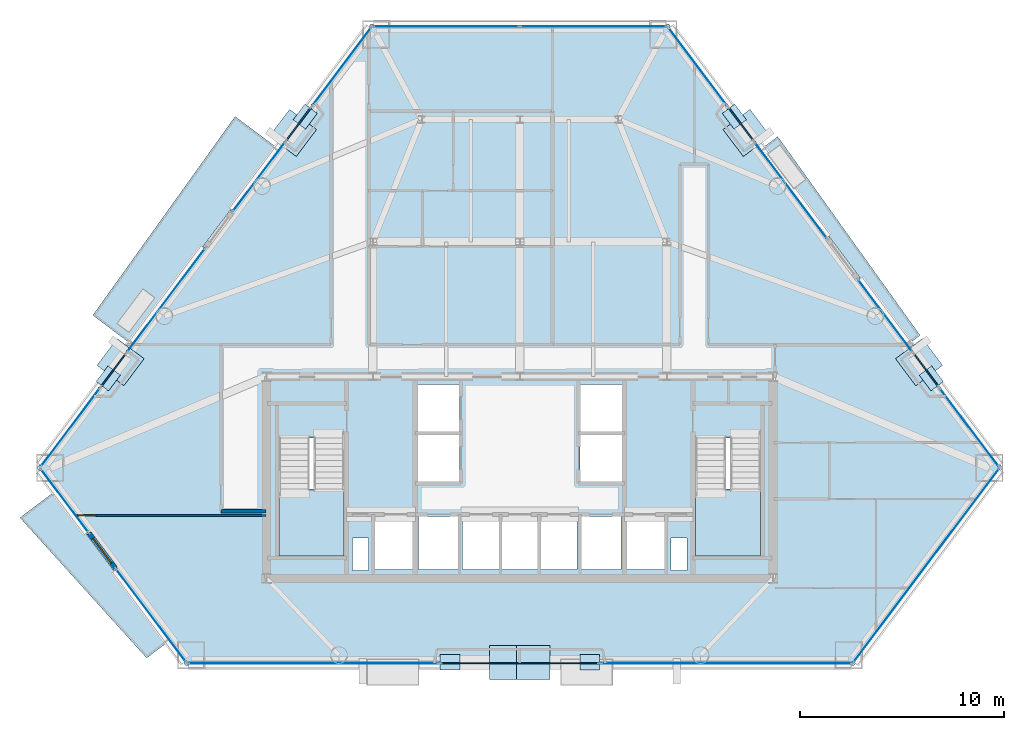
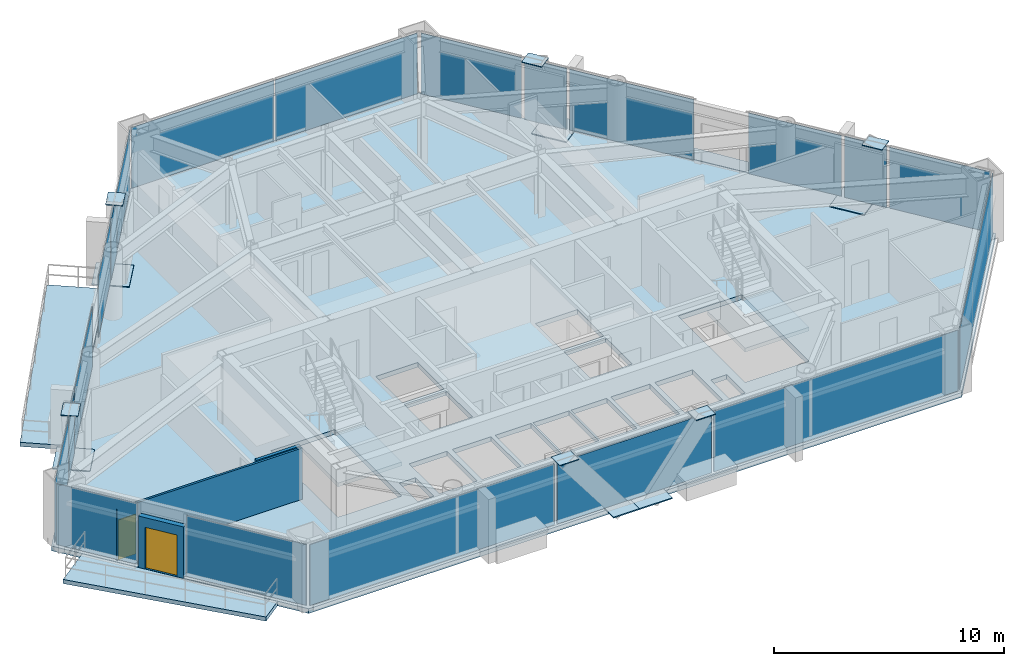
# One storey, part 5 of 10: 32 plates, 6 slabs, 3 walls, 2 doors, 2 openings, 21 elements without a shape of their own.
"""IFC4 building model written with IfcOpenShell, lengths in metres."""

from ifc_helpers import new_model, si_unit, direction, frame, frame_2d, origin, origin_2d, place, context, subcontext, project, spatial, polyline, rectangle, outline, extrude, source, transform, mapped, material, layer, layer_set, type_object, type_shapes, element, fill, aggregate, save


model = new_model("IFC4")

# Units and contexts
model_context = context("Model", 3, precision=1e-05, world=origin(), true_north=direction((0.0, 1.0)))
body_context = subcontext(model_context, "Body", "Model", "MODEL_VIEW")
ifc_project = project(units=[si_unit("LENGTHUNIT", "METRE"), si_unit("AREAUNIT", "SQUARE_METRE"), si_unit("VOLUMEUNIT", "CUBIC_METRE"), si_unit("PLANEANGLEUNIT", "RADIAN"), si_unit("MASSUNIT", "GRAM", prefix="KILO")], contexts=[model_context])

# Site, building, storey
site_placement = place(None, origin())
site = spatial("IfcSite", under=ifc_project, at=site_placement, CompositionType="ELEMENT")
building_placement = place(site_placement, origin())
building = spatial("IfcBuilding", under=site, at=building_placement, Name="Talgorran Terracotta Tower", CompositionType="ELEMENT")
storey_placement = place(building_placement, frame((0.0, 0.0, 75.60009765625)))
storey = spatial("IfcBuildingStorey", under=building, at=storey_placement, Name="L19", CompositionType="ELEMENT", Elevation=75.60009765625)

# Plates
ifc_material_1 = material(Name="Steel Grade 350 (350L0)", Category="steel")
ifc_layer_1 = layer(ifc_material_1, 0.0400390625, Name="PL_CAP_MN05")
ifc_layer_set_1 = layer_set([ifc_layer_1], Name="Steel Grade 350 (350L0)")
plate_type_1 = type_object("IfcPlateType", Name="PL_CAP_MN05", PredefinedType="USERDEFINED", material=ifc_layer_set_1)
for number, where, z_axis, x_axis, name in (
    (1, (-3.419189453125, -18.206787109375, 3.31982421875), (0.0, 0.0, 1.0), (-1.0, 0.0, 0.0), "L19 Diagonal Frame End Cap SWF Top"),
    (2, (3.419189453125, -18.206787109375, 3.31982421875), (0.0, 0.0, 1.0), (1.0, 0.0, 0.0), "L19 Diagonal Frame End Cap SEF Top"),
    (3, (20.15869140625, -4.291015625, 3.31982421875), (0.0, 0.0, 1.0), (0.601257323772, -0.799055461536, 0.0), "L19 Diagonal Frame End Cap NEL Top"),
    (4, (10.51123046875, 8.531005859375, 3.31982421875), (0.0, 0.0, 1.0), (-0.601257323772, 0.799055461536, 0.0), "L19 Diagonal Frame End Cap NEU Top"),
    (5, (-10.51123046875, 8.531005859375, 3.31982421875), (0.0, 0.0, 1.0), (0.601257323772, 0.799055461536, 0.0), "L19 Diagonal Frame End Cap NWU Top"),
    (6, (-20.15869140625, -4.291015625, 3.31982421875), (0.0, 0.0, 1.0), (-0.601257323772, -0.799055461536, 0.0), "L19 Diagonal Frame End Cap NWL Top"),
):
    element("IfcPlate", number, at=place(storey_placement, frame(where, z_axis=z_axis, x_axis=x_axis)), inside=storey, type_object=plate_type_1, Name=name, ObjectType="CAP PLATE", PredefinedType="USERDEFINED", context=body_context, shape_type="SweptSolid", body=[
        extrude(rectangle(XDim=0.9599609375, YDim=0.760009765625, at=origin_2d()), origin(), (0.0, 0.0, 1.0), 0.0400390625),
    ])
ifc_layer_2 = layer(ifc_material_1, 0.06005859375, Name="PL_NODE_MN01")
ifc_layer_set_2 = layer_set([ifc_layer_2], Name="Steel Grade 350 (350L0)")
plate_type_2 = type_object("IfcPlateType", Name="PL_NODE_MN01", PredefinedType="USERDEFINED", material=ifc_layer_set_2)
for number, where, z_axis, x_axis, name in (
    (7, (-0.6513671875, -18.206787109375, -0.02001953125), (0.0, 0.0, 1.0), (-1.0, 0.0, 0.0), "L19 Diagonal Frame End Cap SWF Bot"),
    (8, (0.6513671875, -18.206787109375, -0.02001953125), (0.0, 0.0, 1.0), (1.0, 0.0, 0.0), "L19 Diagonal Frame End Cap SEF Bot"),
    (9, (19.557861328125, -3.4921875, -0.02001953125), (0.0, 0.0, 1.0), (0.601257323772, -0.799055461536, 0.0), "L19 Diagonal Frame End Cap NEL Bot"),
    (10, (11.1123046875, 7.732421875, -0.02001953125), (0.0, 0.0, 1.0), (-0.601257323772, 0.799055461536, 0.0), "L19 Diagonal Frame End Cap NEU Bot"),
    (11, (-11.1123046875, 7.732421875, -0.02001953125), (0.0, 0.0, 1.0), (0.601257323772, 0.799055461536, 0.0), "L19 Diagonal Frame End Cap NWU Bot"),
    (12, (-19.557861328125, -3.4921875, -0.02001953125), (0.0, 0.0, 1.0), (-0.601257323772, -0.799055461536, 0.0), "L19 Diagonal Frame End Cap NWL Bot"),
):
    element("IfcPlate", number, at=place(storey_placement, frame(where, z_axis=z_axis, x_axis=x_axis)), inside=storey, type_object=plate_type_2, Name=name, ObjectType="NODE PLATE", PredefinedType="USERDEFINED", context=body_context, shape_type="SweptSolid", body=[
        extrude(rectangle(XDim=1.64990234375, YDim=1.64990234375, at=origin_2d()), origin(), (0.0, 0.0, 1.0), 0.06005859375),
    ])

# Slabs
ifc_material_2 = material(Name="Concrete C40/50", Category="concrete")
ifc_layer_3 = layer(ifc_material_2, 0.219970703125, Name="SL_BALCONY_220")
ifc_layer_set_3 = layer_set([ifc_layer_3], Name="Concrete C40/50")
slab_type_1 = type_object("IfcSlabType", Name="SL_BALCONY_220", PredefinedType="FLOOR", material=ifc_layer_set_3)
slab_1_placement = place(storey_placement, frame((0.0, 0.0, -0.22021484375)))
element("IfcSlab", 13, at=slab_1_placement, inside=storey, type_object=slab_type_1, Name="L19 Outdoor Wave Balcony BAL-NE", PredefinedType="FLOOR", context=body_context, shape_type="SweptSolid", body=[
    extrude(outline(polyline([(11.88720703125, 6.9931640625), (19.086669921875, -2.574951171875), (19.60595703125, -2.184326171875), (12.632568359375, 7.5537109375), (11.88720703125, 6.9931640625)])), origin(), (0.0, 0.0, 1.0), 0.22021484375),
])
slab_2_placement = place(storey_placement, frame((0.0, 0.0, -0.22021484375)))
element("IfcSlab", 14, at=slab_2_placement, inside=storey, type_object=slab_type_1, Name="L19 Outdoor Wave Balcony BAL-NW", PredefinedType="FLOOR", context=body_context, shape_type="SweptSolid", body=[
    extrude(outline(polyline([(-19.086669921875, -2.574951171875), (-11.88720703125, 6.9931640625), (-13.941162109375, 8.538330078125), (-20.914306640625, -1.19970703125), (-19.086669921875, -2.574951171875)])), origin(), (0.0, 0.0, 1.0), 0.22021484375),
])
slab_3_placement = place(storey_placement, frame((0.0, 0.0, -0.22021484375)))
element("IfcSlab", 15, at=slab_3_placement, inside=storey, type_object=slab_type_1, Name="L19 Outdoor Wave Balcony BAL-SW", PredefinedType="FLOOR", context=body_context, shape_type="SweptSolid", body=[
    extrude(outline(polyline([(-17.249267578125, -17.21240234375), (-22.792724609375, -9.84521484375), (-24.4814453125, -11.11572265625), (-18.277587890625, -17.986083984375), (-17.249267578125, -17.21240234375)])), origin(), (0.0, 0.0, 1.0), 0.22021484375),
])

# Stair, slab
stair_type = type_object("IfcStairType", Name="ST_FIRE_SCISSOR", PredefinedType="HALF_TURN_STAIR", material=ifc_material_2)
stair_1_placement = place(storey_placement, origin())
stair_1 = element("IfcStair", 16, at=stair_1_placement, inside=storey, type_object=stair_type, Name="L19 West Protected Fire Stair ST-01", PredefinedType="HALF_TURN_STAIR")
ifc_layer_4 = layer(ifc_material_2, 0.199951171875, Name="SL_LANDING_200")
ifc_layer_set_4 = layer_set([ifc_layer_4], Name="Concrete C40/50")
slab_type_2 = type_object("IfcSlabType", Name="SL_LANDING_200", PredefinedType="LANDING", material=ifc_layer_set_4)
slab_4_placement = place(storey_placement, frame((0.0, 0.0, 1.599853515625)))
slab_4 = element("IfcSlab", 17, at=slab_4_placement, type_object=slab_type_2, Name="ST-01 landing 1", PredefinedType="LANDING", context=body_context, shape_type="SweptSolid", body=[
    extrude(outline(polyline([(-11.800048828125, -9.719970703125), (-11.800048828125, -13.0), (-8.60009765625, -13.0), (-8.60009765625, -9.719970703125), (-11.800048828125, -9.719970703125)])), origin(), (0.0, 0.0, 1.0), 0.199951171875),
])
aggregate(stair_1, [slab_4])

stair_2_placement = place(storey_placement, origin())
stair_2 = element("IfcStair", 18, at=stair_2_placement, inside=storey, type_object=stair_type, Name="L19 East Protected Fire Stair ST-02", PredefinedType="HALF_TURN_STAIR")
slab_5_placement = place(storey_placement, frame((0.0, 0.0, 1.599853515625)))
slab_5 = element("IfcSlab", 19, at=slab_5_placement, type_object=slab_type_2, Name="ST-02 landing 1", PredefinedType="LANDING", context=body_context, shape_type="SweptSolid", body=[
    extrude(outline(polyline([(8.60009765625, -9.719970703125), (8.60009765625, -13.0), (11.800048828125, -13.0), (11.800048828125, -9.719970703125), (8.60009765625, -9.719970703125)])), origin(), (0.0, 0.0, 1.0), 0.199951171875),
])
aggregate(stair_2, [slab_5])

# Slab
ifc_layer_5 = layer(ifc_material_2, 0.264892578125, Name="SL_TOWER_265")
ifc_layer_set_5 = layer_set([ifc_layer_5], Name="Concrete C40/50")
slab_type_3 = type_object("IfcSlabType", Name="SL_TOWER_265", PredefinedType="FLOOR", material=ifc_layer_set_5)
slab_6_placement = place(storey_placement, frame((0.0, 0.0, -0.25)))
element("IfcSlab", 20, at=slab_6_placement, inside=storey, type_object=slab_type_3, Name="Storey L19 Structural Floor Slab", PredefinedType="FLOOR", context=body_context, shape_type="SweptSolid", body=[
    extrude(outline(polyline([(-23.656005859375, -8.6728515625), (-16.362060546875, -18.36669921875), (16.362060546875, -18.36669921875), (23.656005859375, -8.6728515625), (7.2939453125, 13.07275390625), (-7.2939453125, 13.07275390625), (-23.656005859375, -8.6728515625)]), holes=[polyline([(-11.800048828125, -7.199951171875), (-11.800048828125, -13.0), (-8.60009765625, -13.0), (-8.60009765625, -7.199951171875), (-11.800048828125, -7.199951171875)]), polyline([(8.60009765625, -7.199951171875), (8.60009765625, -13.0), (11.800048828125, -13.0), (11.800048828125, -7.199951171875), (8.60009765625, -7.199951171875)]), polyline([(-7.10009765625, -13.64990234375), (-5.199951171875, -13.64990234375), (-5.199951171875, -11.050048828125), (-7.10009765625, -11.050048828125), (-7.10009765625, -13.64990234375)]), polyline([(5.199951171875, -13.64990234375), (7.10009765625, -13.64990234375), (7.10009765625, -11.050048828125), (5.199951171875, -11.050048828125), (5.199951171875, -13.64990234375)]), polyline([(3.0, -13.64990234375), (4.949951171875, -13.64990234375), (4.949951171875, -11.050048828125), (3.0, -11.050048828125), (3.0, -13.64990234375)]), polyline([(-4.949951171875, -13.64990234375), (-3.0, -13.64990234375), (-3.0, -11.050048828125), (-4.949951171875, -11.050048828125), (-4.949951171875, -13.64990234375)]), polyline([(-5.050048828125, -9.35009765625), (-2.949951171875, -9.35009765625), (-2.949951171875, -7.050048828125), (-5.050048828125, -7.050048828125), (-5.050048828125, -9.35009765625)]), polyline([(-5.050048828125, -6.89990234375), (-2.949951171875, -6.89990234375), (-2.949951171875, -4.60009765625), (-5.050048828125, -4.60009765625), (-5.050048828125, -6.89990234375)]), polyline([(2.949951171875, -9.35009765625), (5.050048828125, -9.35009765625), (5.050048828125, -7.050048828125), (2.949951171875, -7.050048828125), (2.949951171875, -9.35009765625)]), polyline([(2.949951171875, -6.89990234375), (5.050048828125, -6.89990234375), (5.050048828125, -4.60009765625), (2.949951171875, -4.60009765625), (2.949951171875, -6.89990234375)]), polyline([(-2.800048828125, -13.64990234375), (-1.0, -13.64990234375), (-1.0, -11.050048828125), (-2.800048828125, -11.050048828125), (-2.800048828125, -13.64990234375)]), polyline([(-0.89990234375, -13.64990234375), (0.89990234375, -13.64990234375), (0.89990234375, -11.050048828125), (-0.89990234375, -11.050048828125), (-0.89990234375, -13.64990234375)]), polyline([(1.0, -13.64990234375), (2.800048828125, -13.64990234375), (2.800048828125, -11.050048828125), (1.0, -11.050048828125), (1.0, -13.64990234375)]), polyline([(-8.199951171875, -13.699951171875), (-7.39990234375, -13.699951171875), (-7.39990234375, -12.10009765625), (-8.199951171875, -12.10009765625), (-8.199951171875, -13.699951171875)]), polyline([(7.39990234375, -13.699951171875), (8.199951171875, -13.699951171875), (8.199951171875, -12.10009765625), (7.39990234375, -12.10009765625), (7.39990234375, -13.699951171875)])]), origin(), (0.0, 0.0, 1.0), 0.25),
])

# Curtain wall, plate
ifc_material_3 = material(Name="Unitised Low-E Double Glazing", Category="glass")
ifc_layer_6 = layer(ifc_material_3, 0.199951171875, Name="CW_SYS2_RES_LOW")
ifc_layer_set_6 = layer_set([ifc_layer_6], Name="Unitised Low-E Double Glazing")
curtain_wall_type = type_object("IfcCurtainWallType", Name="CW_SYS2_RES_LOW", PredefinedType="NOTDEFINED", material=ifc_layer_set_6)
curtain_wall_1_placement = place(storey_placement, origin())
curtain_wall_1 = element("IfcCurtainWall", 21, at=curtain_wall_1_placement, inside=storey, type_object=curtain_wall_type, Name="CW-L19-F2", PredefinedType="NOTDEFINED")
ifc_material_4 = material(Name="Low-E Laminated Vision Glass", Category="glass")
ifc_layer_7 = layer(ifc_material_4, 0.028076171875, Name="PLT_VISION_28")
ifc_layer_set_7 = layer_set([ifc_layer_7], Name="Low-E Laminated Vision Glass")
plate_type_3 = type_object("IfcPlateType", Name="PLT_VISION_28", PredefinedType="CURTAIN_PANEL", material=ifc_layer_set_7)
shared_shape_1 = source(origin(), body_context, "Body", "SweptSolid", [
    extrude(rectangle(XDim=11.851318359375, YDim=0.028076171875, at=origin_2d()), origin(), (0.0, 0.0, 1.0), 3.219970703125),
])
plate_1_placement = place(storey_placement, frame((19.904052734375, -13.459716796875, 0.06494140625), z_axis=(0.0, 0.0, 1.0), x_axis=(0.601242540556, 0.799066585102, 0.0)))
plate_1 = element("IfcPlate", 22, at=plate_1_placement, type_object=plate_type_3, Name="CW-L19-2 panel 1.1", PredefinedType="CURTAIN_PANEL", context=body_context, shape_type="MappedRepresentation", body=[
    mapped(shared_shape_1, transform((0.0, 0.0, 0.0), scale=1.0)),
])
aggregate(curtain_wall_1, [plate_1])

# Curtain wall, plates
curtain_wall_2_placement = place(storey_placement, origin())
curtain_wall_2 = element("IfcCurtainWall", 23, at=curtain_wall_2_placement, inside=storey, type_object=curtain_wall_type, Name="CW-L19-F4", PredefinedType="NOTDEFINED")
shared_shape_2 = source(origin(), body_context, "Body", "SweptSolid", [
    extrude(rectangle(XDim=7.13671875, YDim=0.028076171875, at=origin_2d()), origin(), (0.0, 0.0, 1.0), 3.219970703125),
])
plate_2_placement = place(storey_placement, frame((3.600830078125, 12.952880859375, 0.06494140625), z_axis=(0.0, 0.0, 1.0), x_axis=(-1.0, 0.0, 0.0)))
plate_2 = element("IfcPlate", 24, at=plate_2_placement, type_object=plate_type_3, Name="CW-L19-4 panel 1.1", PredefinedType="CURTAIN_PANEL", context=body_context, shape_type="MappedRepresentation", body=[
    mapped(shared_shape_2, transform((0.0, 0.0, 0.0), scale=1.0)),
])
plate_3_placement = place(storey_placement, frame((-3.600830078125, 12.952880859375, 0.06494140625), z_axis=(0.0, 0.0, 1.0), x_axis=(-1.0, 0.0, 0.0)))
plate_3 = element("IfcPlate", 25, at=plate_3_placement, type_object=plate_type_3, Name="CW-L19-4 panel 2.1", PredefinedType="CURTAIN_PANEL", context=body_context, shape_type="MappedRepresentation", body=[
    mapped(shared_shape_2, transform((0.0, 0.0, 0.0), scale=1.0)),
])
aggregate(curtain_wall_2, [plate_2, plate_3])

# Curtain wall, plate
curtain_wall_3_placement = place(storey_placement, origin())
curtain_wall_3 = element("IfcCurtainWall", 26, at=curtain_wall_3_placement, inside=storey, type_object=curtain_wall_type, Name="CW-L19-F10", PredefinedType="NOTDEFINED")
shared_shape_3 = source(origin(), body_context, "Body", "SweptSolid", [
    extrude(rectangle(XDim=3.828125, YDim=0.028076171875, at=origin_2d()), origin(), (0.0, 0.0, 1.0), 3.219970703125),
])
plate_4_placement = place(storey_placement, frame((-22.2919921875, -10.2861328125, 0.06494140625), z_axis=(0.0, 0.0, 1.0), x_axis=(0.601256445485, -0.799056122411, 0.0)))
plate_4 = element("IfcPlate", 27, at=plate_4_placement, type_object=plate_type_3, Name="CW-L19-10 panel 1.1", PredefinedType="CURTAIN_PANEL", context=body_context, shape_type="MappedRepresentation", body=[
    mapped(shared_shape_3, transform((0.0, 0.0, 0.0), scale=1.0)),
])
aggregate(curtain_wall_3, [plate_4])

curtain_wall_4_placement = place(storey_placement, origin())
curtain_wall_4 = element("IfcCurtainWall", 28, at=curtain_wall_4_placement, inside=storey, type_object=curtain_wall_type, Name="CW-L19-F11", PredefinedType="NOTDEFINED")
shared_shape_4 = source(origin(), body_context, "Body", "SweptSolid", [
    extrude(rectangle(XDim=5.6533203125, YDim=0.028076171875, at=origin_2d()), origin(), (0.0, 0.0, 1.0), 3.219970703125),
])
plate_5_placement = place(storey_placement, frame((-18.064697265625, -15.904052734375, 0.06494140625), z_axis=(0.0, 0.0, 1.0), x_axis=(0.601249766913, -0.799061147715, 0.0)))
plate_5 = element("IfcPlate", 29, at=plate_5_placement, type_object=plate_type_3, Name="CW-L19-11 panel 1.1", PredefinedType="CURTAIN_PANEL", context=body_context, shape_type="MappedRepresentation", body=[
    mapped(shared_shape_4, transform((0.0, 0.0, 0.0), scale=1.0)),
])
aggregate(curtain_wall_4, [plate_5])

curtain_wall_5_placement = place(storey_placement, origin())
curtain_wall_5 = element("IfcCurtainWall", 30, at=curtain_wall_5_placement, inside=storey, type_object=curtain_wall_type, Name="CW-L19-F1", PredefinedType="NOTDEFINED")
shared_shape_5 = source(origin(), body_context, "Body", "SweptSolid", [
    extrude(rectangle(XDim=12.239501953125, YDim=0.028076171875, at=origin_2d()), origin(), (0.0, 0.0, 1.0), 3.219970703125),
])
plate_6_placement = place(storey_placement, frame((-10.117431640625, -18.24658203125, 0.06494140625), z_axis=(0.0, 0.0, 1.0), x_axis=(1.0, 0.0, 0.0)))
plate_6 = element("IfcPlate", 31, at=plate_6_placement, type_object=plate_type_3, Name="CW-L19-1 panel 1.1", PredefinedType="CURTAIN_PANEL", context=body_context, shape_type="MappedRepresentation", body=[
    mapped(shared_shape_5, transform((0.0, 0.0, 0.0), scale=1.0)),
])
aggregate(curtain_wall_5, [plate_6])

curtain_wall_6_placement = place(storey_placement, origin())
curtain_wall_6 = element("IfcCurtainWall", 32, at=curtain_wall_6_placement, inside=storey, type_object=curtain_wall_type, Name="CW-L19-F1C", PredefinedType="NOTDEFINED")
plate_7_placement = place(storey_placement, frame((10.117431640625, -18.24658203125, 0.06494140625), z_axis=(0.0, 0.0, 1.0), x_axis=(1.0, 0.0, 0.0)))
plate_7 = element("IfcPlate", 33, at=plate_7_placement, type_object=plate_type_3, Name="CW-L19-1C panel 1.1", PredefinedType="CURTAIN_PANEL", context=body_context, shape_type="MappedRepresentation", body=[
    mapped(shared_shape_5, transform((0.0, 0.0, 0.0), scale=1.0)),
])
aggregate(curtain_wall_6, [plate_7])

curtain_wall_7_placement = place(storey_placement, origin())
curtain_wall_7 = element("IfcCurtainWall", 34, at=curtain_wall_7_placement, inside=storey, type_object=curtain_wall_type, Name="CW-L19-F1B", PredefinedType="NOTDEFINED")
ifc_material_5 = material(Name="Terracotta Insulated Spandrel", Category="masonry")
ifc_layer_8 = layer(ifc_material_5, 0.06494140625, Name="PLT_SPANDREL_TERRA")
ifc_layer_set_8 = layer_set([ifc_layer_8], Name="Terracotta Insulated Spandrel")
plate_type_4 = type_object("IfcPlateType", Name="PLT_SPANDREL_TERRA", PredefinedType="SHEET", material=ifc_layer_set_8)
shared_shape_6 = source(origin(), body_context, "Body", "SweptSolid", [
    extrude(rectangle(XDim=7.71533203125, YDim=0.06494140625, at=origin_2d()), origin(), (0.0, 0.0, 1.0), 3.219970703125),
])
plate_8_placement = place(storey_placement, frame((0.0, -18.24658203125, 0.06494140625), z_axis=(0.0, 0.0, 1.0), x_axis=(1.0, 0.0, 0.0)))
plate_8 = element("IfcPlate", 35, at=plate_8_placement, type_object=plate_type_4, Name="CW-L19-1B panel 1.1", PredefinedType="CURTAIN_PANEL", context=body_context, shape_type="MappedRepresentation", body=[
    mapped(shared_shape_6, transform((0.0, 0.0, 0.0), scale=1.0)),
])
aggregate(curtain_wall_7, [plate_8])

curtain_wall_8_placement = place(storey_placement, origin())
curtain_wall_8 = element("IfcCurtainWall", 36, at=curtain_wall_8_placement, inside=storey, type_object=curtain_wall_type, Name="CW-L19-F40", PredefinedType="NOTDEFINED")
shared_shape_7 = source(origin(), body_context, "Body", "SweptSolid", [
    extrude(rectangle(XDim=4.7548828125, YDim=0.028076171875, at=origin_2d()), origin(), (0.0, 0.0, 1.0), 3.219970703125),
])
plate_9_placement = place(storey_placement, frame((22.013427734375, -6.689208984375, 0.06494140625), z_axis=(0.0, 0.0, 1.0), x_axis=(-0.601234139776, 0.799072906041, 0.0)))
plate_9 = element("IfcPlate", 37, at=plate_9_placement, type_object=plate_type_3, Name="CW-L19-40 panel 1.1", PredefinedType="CURTAIN_PANEL", context=body_context, shape_type="MappedRepresentation", body=[
    mapped(shared_shape_7, transform((0.0, 0.0, 0.0), scale=1.0)),
])
aggregate(curtain_wall_8, [plate_9])

curtain_wall_9_placement = place(storey_placement, origin())
curtain_wall_9 = element("IfcCurtainWall", 38, at=curtain_wall_9_placement, inside=storey, type_object=curtain_wall_type, Name="CW-L19-F61C", PredefinedType="NOTDEFINED")
plate_10_placement = place(storey_placement, frame((-22.013427734375, -6.689208984375, 0.06494140625), z_axis=(0.0, 0.0, 1.0), x_axis=(-0.601234139776, -0.799072906041, 0.0)))
plate_10 = element("IfcPlate", 39, at=plate_10_placement, type_object=plate_type_3, Name="CW-L19-61C panel 1.1", PredefinedType="CURTAIN_PANEL", context=body_context, shape_type="MappedRepresentation", body=[
    mapped(shared_shape_7, transform((0.0, 0.0, 0.0), scale=1.0)),
])
aggregate(curtain_wall_9, [plate_10])

curtain_wall_10_placement = place(storey_placement, origin())
curtain_wall_10 = element("IfcCurtainWall", 40, at=curtain_wall_10_placement, inside=storey, type_object=curtain_wall_type, Name="CW-L19-F40B", PredefinedType="NOTDEFINED")
shared_shape_8 = source(origin(), body_context, "Body", "SweptSolid", [
    extrude(rectangle(XDim=1.986083984375, YDim=0.06494140625, at=origin_2d()), origin(), (0.0, 0.0, 1.0), 3.219970703125),
])
type_shapes(plate_type_4, [shared_shape_6, shared_shape_8])
plate_11_placement = place(storey_placement, frame((19.902587890625, -3.884033203125, 0.06494140625), z_axis=(0.0, 0.0, 1.0), x_axis=(-0.601246846997, 0.799063344784, 0.0)))
plate_11 = element("IfcPlate", 41, at=plate_11_placement, type_object=plate_type_4, Name="CW-L19-40B panel 1.1", PredefinedType="CURTAIN_PANEL", context=body_context, shape_type="MappedRepresentation", body=[
    mapped(shared_shape_8, transform((0.0, 0.0, 0.0), scale=1.0)),
])
aggregate(curtain_wall_10, [plate_11])

curtain_wall_11_placement = place(storey_placement, origin())
curtain_wall_11 = element("IfcCurtainWall", 42, at=curtain_wall_11_placement, inside=storey, type_object=curtain_wall_type, Name="CW-L19-F41B", PredefinedType="NOTDEFINED")
plate_12_placement = place(storey_placement, frame((10.8310546875, 8.172119140625, 0.06494140625), z_axis=(0.0, 0.0, 1.0), x_axis=(-0.601246846997, 0.799063344784, 0.0)))
plate_12 = element("IfcPlate", 43, at=plate_12_placement, type_object=plate_type_4, Name="CW-L19-41B panel 1.1", PredefinedType="CURTAIN_PANEL", context=body_context, shape_type="MappedRepresentation", body=[
    mapped(shared_shape_8, transform((0.0, 0.0, 0.0), scale=1.0)),
])
aggregate(curtain_wall_11, [plate_12])

curtain_wall_12_placement = place(storey_placement, origin())
curtain_wall_12 = element("IfcCurtainWall", 44, at=curtain_wall_12_placement, inside=storey, type_object=curtain_wall_type, Name="CW-L19-F60B", PredefinedType="NOTDEFINED")
plate_13_placement = place(storey_placement, frame((-10.8310546875, 8.172119140625, 0.06494140625), z_axis=(0.0, 0.0, 1.0), x_axis=(-0.601246846997, -0.799063344784, 0.0)))
plate_13 = element("IfcPlate", 45, at=plate_13_placement, type_object=plate_type_4, Name="CW-L19-60B panel 1.1", PredefinedType="CURTAIN_PANEL", context=body_context, shape_type="MappedRepresentation", body=[
    mapped(shared_shape_8, transform((0.0, 0.0, 0.0), scale=1.0)),
])
aggregate(curtain_wall_12, [plate_13])

curtain_wall_13_placement = place(storey_placement, origin())
curtain_wall_13 = element("IfcCurtainWall", 46, at=curtain_wall_13_placement, inside=storey, type_object=curtain_wall_type, Name="CW-L19-F61B", PredefinedType="NOTDEFINED")
plate_14_placement = place(storey_placement, frame((-19.90283203125, -3.884033203125, 0.06494140625), z_axis=(0.0, 0.0, 1.0), x_axis=(-0.601246846997, -0.799063344784, 0.0)))
plate_14 = element("IfcPlate", 47, at=plate_14_placement, type_object=plate_type_4, Name="CW-L19-61B panel 1.1", PredefinedType="CURTAIN_PANEL", context=body_context, shape_type="MappedRepresentation", body=[
    mapped(shared_shape_8, transform((0.0, 0.0, 0.0), scale=1.0)),
])
aggregate(curtain_wall_13, [plate_14])

curtain_wall_14_placement = place(storey_placement, origin())
curtain_wall_14 = element("IfcCurtainWall", 48, at=curtain_wall_14_placement, inside=storey, type_object=curtain_wall_type, Name="CW-L19-F40C", PredefinedType="NOTDEFINED")
shared_shape_9 = source(origin(), body_context, "Body", "SweptSolid", [
    extrude(rectangle(XDim=4.38232421875, YDim=0.028076171875, at=origin_2d()), origin(), (0.0, 0.0, 1.0), 3.219970703125),
])
plate_15_placement = place(storey_placement, frame((17.904052734375, -1.227783203125, 0.06494140625), z_axis=(0.0, 0.0, 1.0), x_axis=(-0.601236770604, 0.79907092656, 0.0)))
plate_15 = element("IfcPlate", 49, at=plate_15_placement, type_object=plate_type_3, Name="CW-L19-40C panel 1.1", PredefinedType="CURTAIN_PANEL", context=body_context, shape_type="MappedRepresentation", body=[
    mapped(shared_shape_9, transform((0.0, 0.0, 0.0), scale=1.0)),
])
aggregate(curtain_wall_14, [plate_15])

curtain_wall_15_placement = place(storey_placement, origin())
curtain_wall_15 = element("IfcCurtainWall", 50, at=curtain_wall_15_placement, inside=storey, type_object=curtain_wall_type, Name="CW-L19-F41", PredefinedType="NOTDEFINED")
shared_shape_10 = source(origin(), body_context, "Body", "SweptSolid", [
    extrude(rectangle(XDim=5.849609375, YDim=0.028076171875, at=origin_2d()), origin(), (0.0, 0.0, 1.0), 3.219970703125),
])
plate_16_placement = place(storey_placement, frame((13.27099609375, 4.9296875, 0.06494140625), z_axis=(0.0, 0.0, 1.0), x_axis=(-0.601251537806, 0.799059815212, 0.0)))
plate_16 = element("IfcPlate", 51, at=plate_16_placement, type_object=plate_type_3, Name="CW-L19-41 panel 1.1", PredefinedType="CURTAIN_PANEL", context=body_context, shape_type="MappedRepresentation", body=[
    mapped(shared_shape_10, transform((0.0, 0.0, 0.0), scale=1.0)),
])
aggregate(curtain_wall_15, [plate_16])

curtain_wall_16_placement = place(storey_placement, origin())
curtain_wall_16 = element("IfcCurtainWall", 52, at=curtain_wall_16_placement, inside=storey, type_object=curtain_wall_type, Name="CW-L19-F41C", PredefinedType="NOTDEFINED")
shared_shape_11 = source(origin(), body_context, "Body", "SweptSolid", [
    extrude(rectangle(XDim=4.74462890625, YDim=0.028076171875, at=origin_2d()), origin(), (0.0, 0.0, 1.0), 3.219970703125),
])
plate_17_placement = place(storey_placement, frame((8.7236328125, 10.97314453125, 0.06494140625), z_axis=(0.0, 0.0, 1.0), x_axis=(-0.601246525521, 0.799063586675, 0.0)))
plate_17 = element("IfcPlate", 53, at=plate_17_placement, type_object=plate_type_3, Name="CW-L19-41C panel 1.1", PredefinedType="CURTAIN_PANEL", context=body_context, shape_type="MappedRepresentation", body=[
    mapped(shared_shape_11, transform((0.0, 0.0, 0.0), scale=1.0)),
])
aggregate(curtain_wall_16, [plate_17])

curtain_wall_17_placement = place(storey_placement, origin())
curtain_wall_17 = element("IfcCurtainWall", 54, at=curtain_wall_17_placement, inside=storey, type_object=curtain_wall_type, Name="CW-L19-F60", PredefinedType="NOTDEFINED")
plate_18_placement = place(storey_placement, frame((-8.7236328125, 10.97314453125, 0.06494140625), z_axis=(0.0, 0.0, 1.0), x_axis=(-0.601246525521, -0.799063586675, 0.0)))
plate_18 = element("IfcPlate", 55, at=plate_18_placement, type_object=plate_type_3, Name="CW-L19-60 panel 1.1", PredefinedType="CURTAIN_PANEL", context=body_context, shape_type="MappedRepresentation", body=[
    mapped(shared_shape_11, transform((0.0, 0.0, 0.0), scale=1.0)),
])
aggregate(curtain_wall_17, [plate_18])

curtain_wall_18_placement = place(storey_placement, origin())
curtain_wall_18 = element("IfcCurtainWall", 56, at=curtain_wall_18_placement, inside=storey, type_object=curtain_wall_type, Name="CW-L19-F60C", PredefinedType="NOTDEFINED")
shared_shape_12 = source(origin(), body_context, "Body", "SweptSolid", [
    extrude(rectangle(XDim=4.208984375, YDim=0.028076171875, at=origin_2d()), origin(), (0.0, 0.0, 1.0), 3.219970703125),
])
plate_19_placement = place(storey_placement, frame((-12.77783203125, 5.585205078125, 0.06494140625), z_axis=(0.0, 0.0, 1.0), x_axis=(-0.601252977892, -0.799058731619, 0.0)))
plate_19 = element("IfcPlate", 57, at=plate_19_placement, type_object=plate_type_3, Name="CW-L19-60C panel 1.1", PredefinedType="CURTAIN_PANEL", context=body_context, shape_type="MappedRepresentation", body=[
    mapped(shared_shape_12, transform((0.0, 0.0, 0.0), scale=1.0)),
])
aggregate(curtain_wall_18, [plate_19])

curtain_wall_19_placement = place(storey_placement, origin())
curtain_wall_19 = element("IfcCurtainWall", 58, at=curtain_wall_19_placement, inside=storey, type_object=curtain_wall_type, Name="CW-L19-F61", PredefinedType="NOTDEFINED")
shared_shape_13 = source(origin(), body_context, "Body", "SweptSolid", [
    extrude(rectangle(XDim=6.32275390625, YDim=0.028076171875, at=origin_2d()), origin(), (0.0, 0.0, 1.0), 3.219970703125),
])
type_shapes(plate_type_3, [shared_shape_1, shared_shape_2, shared_shape_3, shared_shape_4, shared_shape_5, shared_shape_7, shared_shape_9, shared_shape_10, shared_shape_11, shared_shape_12, shared_shape_13])
plate_20_placement = place(storey_placement, frame((-17.32080078125, -0.45263671875, 0.06494140625), z_axis=(0.0, 0.0, 1.0), x_axis=(-0.601244007055, -0.79906548166, 0.0)))
plate_20 = element("IfcPlate", 59, at=plate_20_placement, type_object=plate_type_3, Name="CW-L19-61 panel 1.1", PredefinedType="CURTAIN_PANEL", context=body_context, shape_type="MappedRepresentation", body=[
    mapped(shared_shape_13, transform((0.0, 0.0, 0.0), scale=1.0)),
])
aggregate(curtain_wall_19, [plate_20])

# Wall, opening, door
ifc_layer_9 = layer(ifc_material_2, 0.239990234375, Name="WT_BALCONY_SPAND")
ifc_layer_set_9 = layer_set([ifc_layer_9], Name="Concrete C40/50")
wall_type_1 = type_object("IfcWallType", Name="WT_BALCONY_SPAND", PredefinedType="STANDARD", material=ifc_layer_set_9)
wall_1_placement = place(storey_placement, frame((-21.095947265625, -11.87548828125, -0.01513671875), z_axis=(0.0, 0.0, 1.0), x_axis=(0.601240548581, -0.799068083921, 0.0)))
wall_1 = element("IfcWall", 60, at=wall_1_placement, inside=storey, type_object=wall_type_1, Name="WL-L19-BALP-BAL-SW", PredefinedType="STANDARD", context=body_context, shape_type="SweptSolid", body=[
    extrude(rectangle(XDim=2.139892578125, YDim=0.239990234375, at=frame_2d((1.06982421875, 0.0))), origin(), (0.0, 0.0, 1.0), 2.728515625),
])
opening_1_placement = place(wall_1_placement, frame((0.320068359375, 0.0, 0.014892578125)))
opening_1 = element("IfcOpeningElement", 61, at=opening_1_placement, cuts=wall_1, Name="Opening D-BAL-L19-3", PredefinedType="OPENING", context=body_context, shape_type="SweptSolid", body=[
    extrude(rectangle(XDim=1.506, YDim=2.203951171875, at=frame_2d((0.75, 1.10205078125))), frame((0.0, 0.1298828125, 0.0), z_axis=(0.0, -1.0, 0.0), x_axis=(1.0, 0.0, 0.0)), (0.0, 0.0, 1.0), 0.260009765625),
])
ifc_material_6 = material(Name="Thermally Broken Aluminium", Category="aluminium")
door_type_1 = type_object("IfcDoorType", Name="DT_BALC_1500", OperationType="SLIDING_TO_RIGHT", PredefinedType="DOOR", material=ifc_material_6)
door_1_placement = place(opening_1_placement, origin())
door_1 = element("IfcDoor", 62, at=door_1_placement, inside=storey, type_object=door_type_1, Name="DR-L19-BAL-BAL-SW", OperationType="SLIDING_TO_RIGHT", OverallHeight=2.199951171875, OverallWidth=1.5, PredefinedType="DOOR", context=body_context, shape_type="SweptSolid", body=[
    extrude(rectangle(XDim=1.5, YDim=2.199951171875, at=frame_2d((0.75, 1.10009765625))), frame((0.0, 0.02490234375, 0.0), z_axis=(0.0, -1.0, 0.0), x_axis=(1.0, 0.0, 0.0)), (0.0, 0.0, 1.0), 0.050048828125),
])
fill(opening_1, door_1)

# Wall
ifc_material_7 = material(Name="Fire-Rated Steel Stud Plasterboard", Category="steel")
ifc_layer_10 = layer(ifc_material_7, 0.14990234375, Name="WT_FIRE_150")
ifc_layer_set_10 = layer_set([ifc_layer_10], Name="Fire-Rated Steel Stud Plasterboard")
wall_type_2 = type_object("IfcWallType", Name="WT_FIRE_150", PredefinedType="PARTITIONING", material=ifc_layer_set_10)
wall_2_placement = place(storey_placement, frame((-14.639892578125, -10.800048828125, 0.0), z_axis=(0.0, 0.0, 1.0), x_axis=(1.0, 0.0, 0.0)))
element("IfcWall", 63, at=wall_2_placement, inside=storey, type_object=wall_type_2, Name="WL-L19-W-L19-R02", PredefinedType="PARTITIONING", context=body_context, shape_type="SweptSolid", body=[
    extrude(rectangle(XDim=2.199951171875, YDim=0.14990234375, at=frame_2d((1.10009765625, 0.0))), origin(), (0.0, 0.0, 1.0), 2.71337890625),
])

# Wall, opening, door
ifc_material_8 = material(Name="Lightweight Steel Stud Partition", Category="steel")
ifc_layer_11 = layer(ifc_material_8, 0.10498046875, Name="WT_PART_110")
ifc_layer_set_11 = layer_set([ifc_layer_11], Name="Lightweight Steel Stud Partition")
wall_type_3 = type_object("IfcWallType", Name="WT_PART_110", PredefinedType="PARTITIONING", material=ifc_layer_set_11)
wall_3_placement = place(storey_placement, frame((-21.754638671875, -11.0, 0.0), z_axis=(0.0, 0.0, 1.0), x_axis=(1.0, 0.0, 0.0)))
wall_3 = element("IfcWall", 64, at=wall_3_placement, inside=storey, type_object=wall_type_3, Name="WL-L19-W-L19-R17", PredefinedType="PARTITIONING", context=body_context, shape_type="SweptSolid", body=[
    extrude(rectangle(XDim=9.314697265625, YDim=0.10498046875, at=frame_2d((4.6572265625, 0.0))), origin(), (0.0, 0.0, 1.0), 2.71337890625),
])
opening_2_placement = place(wall_3_placement, frame((0.10009765625, 0.0, 0.0)))
opening_2 = element("IfcOpeningElement", 65, at=opening_2_placement, cuts=wall_3, Name="Opening DR-L19-R02", PredefinedType="OPENING", context=body_context, shape_type="SweptSolid", body=[
    extrude(rectangle(XDim=0.8858828125, YDim=2.10409765625, at=frame_2d((0.43994140625, 1.052001953125))), frame((0.0, 0.0625, 0.0), z_axis=(0.0, -1.0, 0.0), x_axis=(1.0, 0.0, 0.0)), (0.0, 0.0, 1.0), 0.125),
])
ifc_material_9 = material(Name="Solid-Core Painted Timber", Category="wood")
door_type_2 = type_object("IfcDoorType", Name="DT_INT_880", OperationType="NOTDEFINED", PredefinedType="DOOR", material=ifc_material_9)
door_2_placement = place(opening_2_placement, origin())
door_2 = element("IfcDoor", 66, at=door_2_placement, inside=storey, type_object=door_type_2, Name="DR-L19-R02", OperationType="SINGLE_SWING_RIGHT", OverallHeight=2.10009765625, OverallWidth=0.8798828125, PredefinedType="DOOR", context=body_context, shape_type="SweptSolid", body=[
    extrude(rectangle(XDim=0.8798828125, YDim=2.10009765625, at=frame_2d((0.43994140625, 1.050048828125))), frame((0.0, 0.02490234375, 0.0), z_axis=(0.0, -1.0, 0.0), x_axis=(1.0, 0.0, 0.0)), (0.0, 0.0, 1.0), 0.050048828125),
])
fill(opening_2, door_2)

save(model, "model.ifc")
